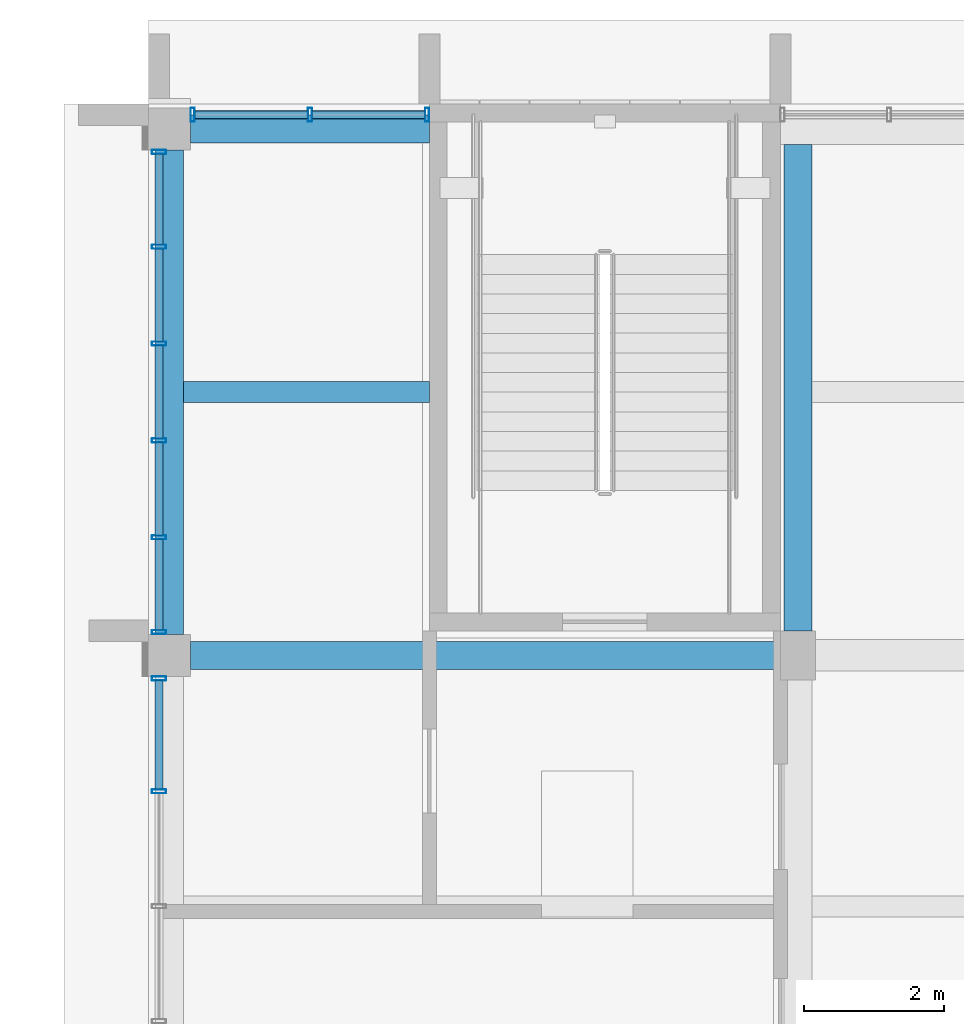
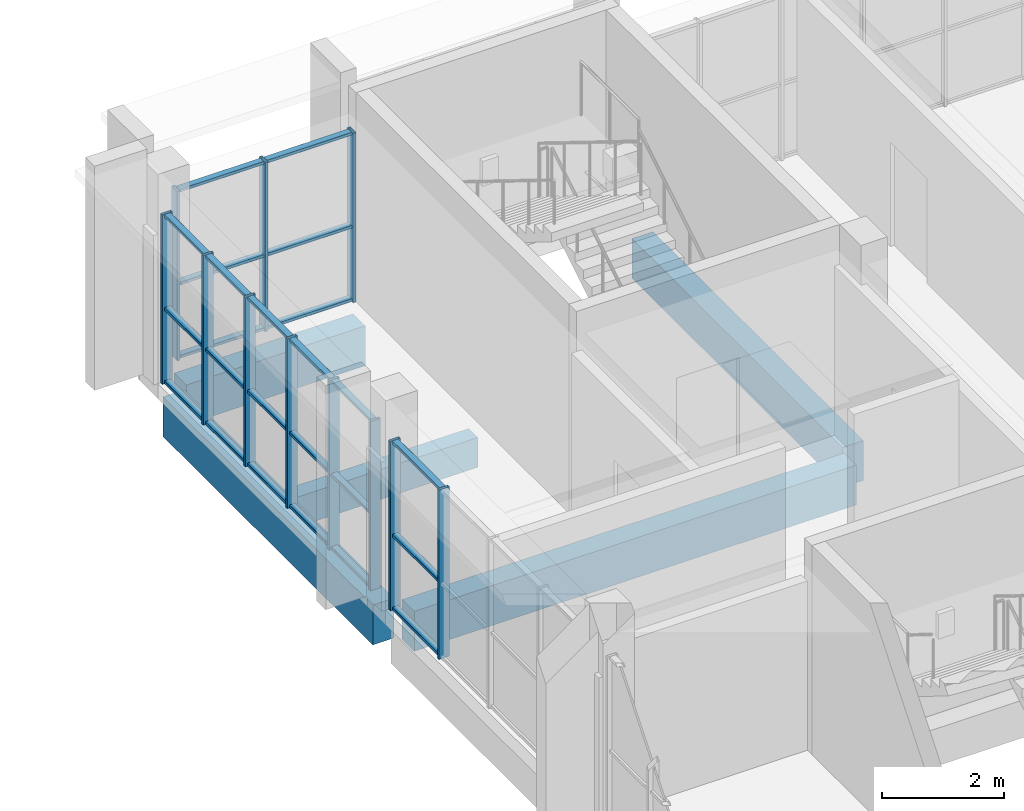
# One storey, part 16 of 42: 35 members, 5 beams, 3 elements without a shape of their own.
"""IFC4 building model written with IfcOpenShell, lengths in metres."""

from ifc_helpers import new_model, si_unit, direction, frame, origin, origin_2d, place, context, subcontext, project, spatial, rectangle, hollow_rectangle, extrude, material, material_profile, profile_set, type_object, element, aggregate, save


model = new_model("IFC4")

# Units and contexts
model_context = context("Model", 3, precision=1e-05, world=origin(), true_north=direction((0.0, 1.0)))
body_context = subcontext(model_context, "Body", "Model", "MODEL_VIEW")
ifc_project = project(units=[si_unit("LENGTHUNIT", "METRE"), si_unit("AREAUNIT", "SQUARE_METRE"), si_unit("VOLUMEUNIT", "CUBIC_METRE"), si_unit("PLANEANGLEUNIT", "RADIAN"), si_unit("MASSUNIT", "GRAM", prefix="KILO")], contexts=[model_context])

# Site, building, storey
site_placement = place(None, origin())
site = spatial("IfcSite", under=ifc_project, at=site_placement, CompositionType="ELEMENT")
building_placement = place(site_placement, origin())
building = spatial("IfcBuilding", under=site, at=building_placement, Name="Sun Court Science Centre", CompositionType="ELEMENT")
storey_placement = place(building_placement, frame((0.0, 0.0, 20.25)))
storey = spatial("IfcBuildingStorey", under=building, at=storey_placement, Name="L04", CompositionType="ELEMENT", Elevation=20.25)

# Curtain wall, members
ifc_material_1 = material(Name="Aluminium EN AW-6063 T6", Category="aluminium")
curtain_wall_type = type_object("IfcCurtainWallType", Name="Laboratory tall bay curtain wall 1500", PredefinedType="NOTDEFINED", material=ifc_material_1)
curtain_wall_1_placement = place(storey_placement, origin())
curtain_wall_1 = element("IfcCurtainWall", 1, at=curtain_wall_1_placement, inside=storey, type_object=curtain_wall_type, Name="Curtain wall V4 W L04 06", PredefinedType="NOTDEFINED")
ifc_material_2 = material(Name="Aluminium EN AW-6063 T6", Category="aluminium")
ifc_material_profile_1 = material_profile(ifc_material_2, hollow_rectangle(XDim=0.06005859375, YDim=0.199951171875, WallThickness=0.0048828125, InnerFilletRadius=0.0048828125, OuterFilletRadius=0.007568359375, at=origin_2d()), Name="AL 60x200x5")
ifc_profile_set_1 = profile_set([ifc_material_profile_1], Name="Aluminium EN AW-6063 T6")
member_type_1 = type_object("IfcMemberType", Name="Curtain wall mullion AL 60x200", PredefinedType="MULLION", material=ifc_profile_set_1)
member_1_placement = place(storey_placement, frame((78.14990234375, 71.21240234375, 0.0), z_axis=(0.0, 0.0, 1.0), x_axis=(0.0, 1.0, 0.0)))
member_1 = element("IfcMember", 2, at=member_1_placement, type_object=member_type_1, Name="CW2-42 mullion 4", PredefinedType="MULLION", context=body_context, shape_type="SweptSolid", body=[
    extrude(hollow_rectangle(XDim=0.06005859375, YDim=0.199951171875, WallThickness=0.0048828125, InnerFilletRadius=0.0048828125, OuterFilletRadius=0.007568359375, at=origin_2d()), origin(), (0.0, 0.0, 1.0), 3.39990234375),
])
member_2_placement = place(storey_placement, frame((78.14990234375, 72.820068359375, 0.0), z_axis=(0.0, 0.0, 1.0), x_axis=(0.0, 1.0, 0.0)))
member_2 = element("IfcMember", 3, at=member_2_placement, type_object=member_type_1, Name="CW2-42 mullion 5", PredefinedType="MULLION", context=body_context, shape_type="SweptSolid", body=[
    extrude(hollow_rectangle(XDim=0.06005859375, YDim=0.199951171875, WallThickness=0.0048828125, InnerFilletRadius=0.0048828125, OuterFilletRadius=0.007568359375, at=origin_2d()), origin(), (0.0, 0.0, 1.0), 3.39990234375),
])

curtain_wall_2_placement = place(storey_placement, origin())
curtain_wall_2 = element("IfcCurtainWall", 4, at=curtain_wall_2_placement, inside=storey, type_object=curtain_wall_type, Name="Curtain wall V4 W L04 07", PredefinedType="NOTDEFINED")
member_3_placement = place(storey_placement, frame((78.14990234375, 73.47998046875, 0.0), z_axis=(0.0, 0.0, 1.0), x_axis=(0.0, 1.0, 0.0)))
member_3 = element("IfcMember", 5, at=member_3_placement, type_object=member_type_1, Name="CW2-43 mullion 1", PredefinedType="MULLION", context=body_context, shape_type="SweptSolid", body=[
    extrude(hollow_rectangle(XDim=0.06005859375, YDim=0.199951171875, WallThickness=0.0048828125, InnerFilletRadius=0.0048828125, OuterFilletRadius=0.007568359375, at=origin_2d()), origin(), (0.0, 0.0, 1.0), 3.39990234375),
])
member_4_placement = place(storey_placement, frame((78.14990234375, 74.830078125, 0.0), z_axis=(0.0, 0.0, 1.0), x_axis=(0.0, 1.0, 0.0)))
member_4 = element("IfcMember", 6, at=member_4_placement, type_object=member_type_1, Name="CW2-43 mullion 2", PredefinedType="MULLION", context=body_context, shape_type="SweptSolid", body=[
    extrude(hollow_rectangle(XDim=0.06005859375, YDim=0.199951171875, WallThickness=0.0048828125, InnerFilletRadius=0.0048828125, OuterFilletRadius=0.007568359375, at=origin_2d()), origin(), (0.0, 0.0, 1.0), 3.39990234375),
])
member_5_placement = place(storey_placement, frame((78.14990234375, 76.2099609375, 0.0), z_axis=(0.0, 0.0, 1.0), x_axis=(0.0, 1.0, 0.0)))
member_5 = element("IfcMember", 7, at=member_5_placement, type_object=member_type_1, Name="CW2-43 mullion 3", PredefinedType="MULLION", context=body_context, shape_type="SweptSolid", body=[
    extrude(hollow_rectangle(XDim=0.06005859375, YDim=0.199951171875, WallThickness=0.0048828125, InnerFilletRadius=0.0048828125, OuterFilletRadius=0.007568359375, at=origin_2d()), origin(), (0.0, 0.0, 1.0), 3.39990234375),
])
member_6_placement = place(storey_placement, frame((78.14990234375, 77.590087890625, 0.0), z_axis=(0.0, 0.0, 1.0), x_axis=(0.0, 1.0, 0.0)))
member_6 = element("IfcMember", 8, at=member_6_placement, type_object=member_type_1, Name="CW2-43 mullion 4", PredefinedType="MULLION", context=body_context, shape_type="SweptSolid", body=[
    extrude(hollow_rectangle(XDim=0.06005859375, YDim=0.199951171875, WallThickness=0.0048828125, InnerFilletRadius=0.0048828125, OuterFilletRadius=0.007568359375, at=origin_2d()), origin(), (0.0, 0.0, 1.0), 3.39990234375),
])
member_7_placement = place(storey_placement, frame((78.14990234375, 78.969970703125, 0.0), z_axis=(0.0, 0.0, 1.0), x_axis=(0.0, 1.0, 0.0)))
member_7 = element("IfcMember", 9, at=member_7_placement, type_object=member_type_1, Name="CW2-43 mullion 5", PredefinedType="MULLION", context=body_context, shape_type="SweptSolid", body=[
    extrude(hollow_rectangle(XDim=0.06005859375, YDim=0.199951171875, WallThickness=0.0048828125, InnerFilletRadius=0.0048828125, OuterFilletRadius=0.007568359375, at=origin_2d()), origin(), (0.0, 0.0, 1.0), 3.39990234375),
])
member_8_placement = place(storey_placement, frame((78.14990234375, 80.320068359375, 0.0), z_axis=(0.0, 0.0, 1.0), x_axis=(0.0, 1.0, 0.0)))
member_8 = element("IfcMember", 10, at=member_8_placement, type_object=member_type_1, Name="CW2-43 mullion 6", PredefinedType="MULLION", context=body_context, shape_type="SweptSolid", body=[
    extrude(hollow_rectangle(XDim=0.06005859375, YDim=0.199951171875, WallThickness=0.0048828125, InnerFilletRadius=0.0048828125, OuterFilletRadius=0.007568359375, at=origin_2d()), origin(), (0.0, 0.0, 1.0), 3.39990234375),
])

curtain_wall_3_placement = place(storey_placement, origin())
curtain_wall_3 = element("IfcCurtainWall", 11, at=curtain_wall_3_placement, inside=storey, type_object=curtain_wall_type, Name="Curtain wall V4 N L04 01", PredefinedType="NOTDEFINED")
member_9_placement = place(storey_placement, frame((78.6298828125, 80.85009765625, 0.0), z_axis=(0.0, 0.0, 1.0), x_axis=(1.0, 0.0, 0.0)))
member_9 = element("IfcMember", 12, at=member_9_placement, type_object=member_type_1, Name="CW2-73 mullion 1", PredefinedType="MULLION", context=body_context, shape_type="SweptSolid", body=[
    extrude(hollow_rectangle(XDim=0.06005859375, YDim=0.199951171875, WallThickness=0.0048828125, InnerFilletRadius=0.0048828125, OuterFilletRadius=0.007568359375, at=origin_2d()), origin(), (0.0, 0.0, 1.0), 3.39990234375),
])
member_10_placement = place(storey_placement, frame((80.300048828125, 80.85009765625, 0.0), z_axis=(0.0, 0.0, 1.0), x_axis=(1.0, 0.0, 0.0)))
member_10 = element("IfcMember", 13, at=member_10_placement, type_object=member_type_1, Name="CW2-73 mullion 2", PredefinedType="MULLION", context=body_context, shape_type="SweptSolid", body=[
    extrude(hollow_rectangle(XDim=0.06005859375, YDim=0.199951171875, WallThickness=0.0048828125, InnerFilletRadius=0.0048828125, OuterFilletRadius=0.007568359375, at=origin_2d()), origin(), (0.0, 0.0, 1.0), 3.39990234375),
])
member_11_placement = place(storey_placement, frame((81.969970703125, 80.85009765625, 0.0), z_axis=(0.0, 0.0, 1.0), x_axis=(1.0, 0.0, 0.0)))
member_11 = element("IfcMember", 14, at=member_11_placement, type_object=member_type_1, Name="CW2-73 mullion 3", PredefinedType="MULLION", context=body_context, shape_type="SweptSolid", body=[
    extrude(hollow_rectangle(XDim=0.06005859375, YDim=0.199951171875, WallThickness=0.0048828125, InnerFilletRadius=0.0048828125, OuterFilletRadius=0.007568359375, at=origin_2d()), origin(), (0.0, 0.0, 1.0), 3.39990234375),
])

# Member
ifc_material_3 = material(Name="Aluminium EN AW-6063 T6", Category="aluminium")
ifc_material_profile_2 = material_profile(ifc_material_3, hollow_rectangle(XDim=0.06005859375, YDim=0.1201171875, WallThickness=0.00390625, InnerFilletRadius=0.00390625, OuterFilletRadius=0.006103515625, at=origin_2d()), Name="AL 60x120x4")
ifc_profile_set_2 = profile_set([ifc_material_profile_2], Name="Aluminium EN AW-6063 T6")
member_type_2 = type_object("IfcMemberType", Name="Curtain wall transom AL 60x120", PredefinedType="USERDEFINED", material=ifc_profile_set_2)
member_12_placement = place(storey_placement, frame((78.14990234375, 71.242431640625, 0.030029296875), z_axis=(0.0, 1.0, 0.0), x_axis=(0.0, 0.0, 1.0)))
member_12 = element("IfcMember", 15, at=member_12_placement, type_object=member_type_2, Name="CW2-42 transom 4.1", ObjectType="TRANSOM", PredefinedType="USERDEFINED", context=body_context, shape_type="SweptSolid", body=[
    extrude(hollow_rectangle(XDim=0.06005859375, YDim=0.1201171875, WallThickness=0.00390625, InnerFilletRadius=0.00390625, OuterFilletRadius=0.006103515625, at=origin_2d()), origin(), (0.0, 0.0, 1.0), 1.547607421875),
])

member_13_placement = place(storey_placement, frame((78.14990234375, 71.242431640625, 1.5), z_axis=(0.0, 1.0, 0.0), x_axis=(0.0, 0.0, 1.0)))
member_13 = element("IfcMember", 16, at=member_13_placement, type_object=member_type_2, Name="CW2-42 transom 4.2", ObjectType="TRANSOM", PredefinedType="USERDEFINED", context=body_context, shape_type="SweptSolid", body=[
    extrude(hollow_rectangle(XDim=0.06005859375, YDim=0.1201171875, WallThickness=0.00390625, InnerFilletRadius=0.00390625, OuterFilletRadius=0.006103515625, at=origin_2d()), origin(), (0.0, 0.0, 1.0), 1.547607421875),
])

member_14_placement = place(storey_placement, frame((78.14990234375, 71.242431640625, 3.3701171875), z_axis=(0.0, 1.0, 0.0), x_axis=(0.0, 0.0, 1.0)))
member_14 = element("IfcMember", 17, at=member_14_placement, type_object=member_type_2, Name="CW2-42 transom 4.3", ObjectType="TRANSOM", PredefinedType="USERDEFINED", context=body_context, shape_type="SweptSolid", body=[
    extrude(hollow_rectangle(XDim=0.06005859375, YDim=0.1201171875, WallThickness=0.00390625, InnerFilletRadius=0.00390625, OuterFilletRadius=0.006103515625, at=origin_2d()), origin(), (0.0, 0.0, 1.0), 1.547607421875),
])

aggregate(curtain_wall_1, [member_1, member_2, member_12, member_13, member_14])

member_15_placement = place(storey_placement, frame((78.14990234375, 73.510009765625, 0.030029296875), z_axis=(0.0, 1.0, 0.0), x_axis=(0.0, 0.0, 1.0)))
member_15 = element("IfcMember", 18, at=member_15_placement, type_object=member_type_2, Name="CW2-43 transom 1.1", ObjectType="TRANSOM", PredefinedType="USERDEFINED", context=body_context, shape_type="SweptSolid", body=[
    extrude(hollow_rectangle(XDim=0.06005859375, YDim=0.1201171875, WallThickness=0.00390625, InnerFilletRadius=0.00390625, OuterFilletRadius=0.006103515625, at=origin_2d()), origin(), (0.0, 0.0, 1.0), 1.2900390625),
])

member_16_placement = place(storey_placement, frame((78.14990234375, 74.860107421875, 0.030029296875), z_axis=(0.0, 1.0, 0.0), x_axis=(0.0, 0.0, 1.0)))
member_16 = element("IfcMember", 19, at=member_16_placement, type_object=member_type_2, Name="CW2-43 transom 2.1", ObjectType="TRANSOM", PredefinedType="USERDEFINED", context=body_context, shape_type="SweptSolid", body=[
    extrude(hollow_rectangle(XDim=0.06005859375, YDim=0.1201171875, WallThickness=0.00390625, InnerFilletRadius=0.00390625, OuterFilletRadius=0.006103515625, at=origin_2d()), origin(), (0.0, 0.0, 1.0), 1.31982421875),
])

member_17_placement = place(storey_placement, frame((78.14990234375, 76.239990234375, 0.030029296875), z_axis=(0.0, 1.0, 0.0), x_axis=(0.0, 0.0, 1.0)))
member_17 = element("IfcMember", 20, at=member_17_placement, type_object=member_type_2, Name="CW2-43 transom 3.1", ObjectType="TRANSOM", PredefinedType="USERDEFINED", context=body_context, shape_type="SweptSolid", body=[
    extrude(hollow_rectangle(XDim=0.06005859375, YDim=0.1201171875, WallThickness=0.00390625, InnerFilletRadius=0.00390625, OuterFilletRadius=0.006103515625, at=origin_2d()), origin(), (0.0, 0.0, 1.0), 1.320068359375),
])

member_18_placement = place(storey_placement, frame((78.14990234375, 77.6201171875, 0.030029296875), z_axis=(0.0, 1.0, 0.0), x_axis=(0.0, 0.0, 1.0)))
member_18 = element("IfcMember", 21, at=member_18_placement, type_object=member_type_2, Name="CW2-43 transom 4.1", ObjectType="TRANSOM", PredefinedType="USERDEFINED", context=body_context, shape_type="SweptSolid", body=[
    extrude(hollow_rectangle(XDim=0.06005859375, YDim=0.1201171875, WallThickness=0.00390625, InnerFilletRadius=0.00390625, OuterFilletRadius=0.006103515625, at=origin_2d()), origin(), (0.0, 0.0, 1.0), 1.31982421875),
])

member_19_placement = place(storey_placement, frame((78.14990234375, 79.0, 0.030029296875), z_axis=(0.0, 1.0, 0.0), x_axis=(0.0, 0.0, 1.0)))
member_19 = element("IfcMember", 22, at=member_19_placement, type_object=member_type_2, Name="CW2-43 transom 5.1", ObjectType="TRANSOM", PredefinedType="USERDEFINED", context=body_context, shape_type="SweptSolid", body=[
    extrude(hollow_rectangle(XDim=0.06005859375, YDim=0.1201171875, WallThickness=0.00390625, InnerFilletRadius=0.00390625, OuterFilletRadius=0.006103515625, at=origin_2d()), origin(), (0.0, 0.0, 1.0), 1.2900390625),
])

member_20_placement = place(storey_placement, frame((78.14990234375, 73.510009765625, 1.5), z_axis=(0.0, 1.0, 0.0), x_axis=(0.0, 0.0, 1.0)))
member_20 = element("IfcMember", 23, at=member_20_placement, type_object=member_type_2, Name="CW2-43 transom 1.2", ObjectType="TRANSOM", PredefinedType="USERDEFINED", context=body_context, shape_type="SweptSolid", body=[
    extrude(hollow_rectangle(XDim=0.06005859375, YDim=0.1201171875, WallThickness=0.00390625, InnerFilletRadius=0.00390625, OuterFilletRadius=0.006103515625, at=origin_2d()), origin(), (0.0, 0.0, 1.0), 1.2900390625),
])

member_21_placement = place(storey_placement, frame((78.14990234375, 74.860107421875, 1.5), z_axis=(0.0, 1.0, 0.0), x_axis=(0.0, 0.0, 1.0)))
member_21 = element("IfcMember", 24, at=member_21_placement, type_object=member_type_2, Name="CW2-43 transom 2.2", ObjectType="TRANSOM", PredefinedType="USERDEFINED", context=body_context, shape_type="SweptSolid", body=[
    extrude(hollow_rectangle(XDim=0.06005859375, YDim=0.1201171875, WallThickness=0.00390625, InnerFilletRadius=0.00390625, OuterFilletRadius=0.006103515625, at=origin_2d()), origin(), (0.0, 0.0, 1.0), 1.31982421875),
])

member_22_placement = place(storey_placement, frame((78.14990234375, 76.239990234375, 1.5), z_axis=(0.0, 1.0, 0.0), x_axis=(0.0, 0.0, 1.0)))
member_22 = element("IfcMember", 25, at=member_22_placement, type_object=member_type_2, Name="CW2-43 transom 3.2", ObjectType="TRANSOM", PredefinedType="USERDEFINED", context=body_context, shape_type="SweptSolid", body=[
    extrude(hollow_rectangle(XDim=0.06005859375, YDim=0.1201171875, WallThickness=0.00390625, InnerFilletRadius=0.00390625, OuterFilletRadius=0.006103515625, at=origin_2d()), origin(), (0.0, 0.0, 1.0), 1.320068359375),
])

member_23_placement = place(storey_placement, frame((78.14990234375, 77.6201171875, 1.5), z_axis=(0.0, 1.0, 0.0), x_axis=(0.0, 0.0, 1.0)))
member_23 = element("IfcMember", 26, at=member_23_placement, type_object=member_type_2, Name="CW2-43 transom 4.2", ObjectType="TRANSOM", PredefinedType="USERDEFINED", context=body_context, shape_type="SweptSolid", body=[
    extrude(hollow_rectangle(XDim=0.06005859375, YDim=0.1201171875, WallThickness=0.00390625, InnerFilletRadius=0.00390625, OuterFilletRadius=0.006103515625, at=origin_2d()), origin(), (0.0, 0.0, 1.0), 1.31982421875),
])

member_24_placement = place(storey_placement, frame((78.14990234375, 79.0, 1.5), z_axis=(0.0, 1.0, 0.0), x_axis=(0.0, 0.0, 1.0)))
member_24 = element("IfcMember", 27, at=member_24_placement, type_object=member_type_2, Name="CW2-43 transom 5.2", ObjectType="TRANSOM", PredefinedType="USERDEFINED", context=body_context, shape_type="SweptSolid", body=[
    extrude(hollow_rectangle(XDim=0.06005859375, YDim=0.1201171875, WallThickness=0.00390625, InnerFilletRadius=0.00390625, OuterFilletRadius=0.006103515625, at=origin_2d()), origin(), (0.0, 0.0, 1.0), 1.2900390625),
])

member_25_placement = place(storey_placement, frame((78.14990234375, 73.510009765625, 3.3701171875), z_axis=(0.0, 1.0, 0.0), x_axis=(0.0, 0.0, 1.0)))
member_25 = element("IfcMember", 28, at=member_25_placement, type_object=member_type_2, Name="CW2-43 transom 1.3", ObjectType="TRANSOM", PredefinedType="USERDEFINED", context=body_context, shape_type="SweptSolid", body=[
    extrude(hollow_rectangle(XDim=0.06005859375, YDim=0.1201171875, WallThickness=0.00390625, InnerFilletRadius=0.00390625, OuterFilletRadius=0.006103515625, at=origin_2d()), origin(), (0.0, 0.0, 1.0), 1.2900390625),
])

member_26_placement = place(storey_placement, frame((78.14990234375, 74.860107421875, 3.3701171875), z_axis=(0.0, 1.0, 0.0), x_axis=(0.0, 0.0, 1.0)))
member_26 = element("IfcMember", 29, at=member_26_placement, type_object=member_type_2, Name="CW2-43 transom 2.3", ObjectType="TRANSOM", PredefinedType="USERDEFINED", context=body_context, shape_type="SweptSolid", body=[
    extrude(hollow_rectangle(XDim=0.06005859375, YDim=0.1201171875, WallThickness=0.00390625, InnerFilletRadius=0.00390625, OuterFilletRadius=0.006103515625, at=origin_2d()), origin(), (0.0, 0.0, 1.0), 1.31982421875),
])

member_27_placement = place(storey_placement, frame((78.14990234375, 76.239990234375, 3.3701171875), z_axis=(0.0, 1.0, 0.0), x_axis=(0.0, 0.0, 1.0)))
member_27 = element("IfcMember", 30, at=member_27_placement, type_object=member_type_2, Name="CW2-43 transom 3.3", ObjectType="TRANSOM", PredefinedType="USERDEFINED", context=body_context, shape_type="SweptSolid", body=[
    extrude(hollow_rectangle(XDim=0.06005859375, YDim=0.1201171875, WallThickness=0.00390625, InnerFilletRadius=0.00390625, OuterFilletRadius=0.006103515625, at=origin_2d()), origin(), (0.0, 0.0, 1.0), 1.320068359375),
])

member_28_placement = place(storey_placement, frame((78.14990234375, 77.6201171875, 3.3701171875), z_axis=(0.0, 1.0, 0.0), x_axis=(0.0, 0.0, 1.0)))
member_28 = element("IfcMember", 31, at=member_28_placement, type_object=member_type_2, Name="CW2-43 transom 4.3", ObjectType="TRANSOM", PredefinedType="USERDEFINED", context=body_context, shape_type="SweptSolid", body=[
    extrude(hollow_rectangle(XDim=0.06005859375, YDim=0.1201171875, WallThickness=0.00390625, InnerFilletRadius=0.00390625, OuterFilletRadius=0.006103515625, at=origin_2d()), origin(), (0.0, 0.0, 1.0), 1.31982421875),
])

member_29_placement = place(storey_placement, frame((78.14990234375, 79.0, 3.3701171875), z_axis=(0.0, 1.0, 0.0), x_axis=(0.0, 0.0, 1.0)))
member_29 = element("IfcMember", 32, at=member_29_placement, type_object=member_type_2, Name="CW2-43 transom 5.3", ObjectType="TRANSOM", PredefinedType="USERDEFINED", context=body_context, shape_type="SweptSolid", body=[
    extrude(hollow_rectangle(XDim=0.06005859375, YDim=0.1201171875, WallThickness=0.00390625, InnerFilletRadius=0.00390625, OuterFilletRadius=0.006103515625, at=origin_2d()), origin(), (0.0, 0.0, 1.0), 1.2900390625),
])

aggregate(curtain_wall_2, [member_3, member_4, member_5, member_6, member_7, member_8, member_15, member_16, member_17, member_18, member_19, member_20, member_21, member_22, member_23, member_24, member_25, member_26, member_27, member_28, member_29])

member_30_placement = place(storey_placement, frame((78.659912109375, 80.85009765625, 0.030029296875), z_axis=(1.0, 0.0, 0.0), x_axis=(0.0, 0.0, 1.0)))
member_30 = element("IfcMember", 33, at=member_30_placement, type_object=member_type_2, Name="CW2-73 transom 1.1", ObjectType="TRANSOM", PredefinedType="USERDEFINED", context=body_context, shape_type="SweptSolid", body=[
    extrude(hollow_rectangle(XDim=0.06005859375, YDim=0.1201171875, WallThickness=0.00390625, InnerFilletRadius=0.00390625, OuterFilletRadius=0.006103515625, at=origin_2d()), origin(), (0.0, 0.0, 1.0), 1.610107421875),
])

member_31_placement = place(storey_placement, frame((80.330078125, 80.85009765625, 0.030029296875), z_axis=(1.0, 0.0, 0.0), x_axis=(0.0, 0.0, 1.0)))
member_31 = element("IfcMember", 34, at=member_31_placement, type_object=member_type_2, Name="CW2-73 transom 2.1", ObjectType="TRANSOM", PredefinedType="USERDEFINED", context=body_context, shape_type="SweptSolid", body=[
    extrude(hollow_rectangle(XDim=0.06005859375, YDim=0.1201171875, WallThickness=0.00390625, InnerFilletRadius=0.00390625, OuterFilletRadius=0.006103515625, at=origin_2d()), origin(), (0.0, 0.0, 1.0), 1.60986328125),
])

member_32_placement = place(storey_placement, frame((78.659912109375, 80.85009765625, 1.5), z_axis=(1.0, 0.0, 0.0), x_axis=(0.0, 0.0, 1.0)))
member_32 = element("IfcMember", 35, at=member_32_placement, type_object=member_type_2, Name="CW2-73 transom 1.2", ObjectType="TRANSOM", PredefinedType="USERDEFINED", context=body_context, shape_type="SweptSolid", body=[
    extrude(hollow_rectangle(XDim=0.06005859375, YDim=0.1201171875, WallThickness=0.00390625, InnerFilletRadius=0.00390625, OuterFilletRadius=0.006103515625, at=origin_2d()), origin(), (0.0, 0.0, 1.0), 1.610107421875),
])

member_33_placement = place(storey_placement, frame((80.330078125, 80.85009765625, 1.5), z_axis=(1.0, 0.0, 0.0), x_axis=(0.0, 0.0, 1.0)))
member_33 = element("IfcMember", 36, at=member_33_placement, type_object=member_type_2, Name="CW2-73 transom 2.2", ObjectType="TRANSOM", PredefinedType="USERDEFINED", context=body_context, shape_type="SweptSolid", body=[
    extrude(hollow_rectangle(XDim=0.06005859375, YDim=0.1201171875, WallThickness=0.00390625, InnerFilletRadius=0.00390625, OuterFilletRadius=0.006103515625, at=origin_2d()), origin(), (0.0, 0.0, 1.0), 1.60986328125),
])

member_34_placement = place(storey_placement, frame((78.659912109375, 80.85009765625, 3.3701171875), z_axis=(1.0, 0.0, 0.0), x_axis=(0.0, 0.0, 1.0)))
member_34 = element("IfcMember", 37, at=member_34_placement, type_object=member_type_2, Name="CW2-73 transom 1.3", ObjectType="TRANSOM", PredefinedType="USERDEFINED", context=body_context, shape_type="SweptSolid", body=[
    extrude(hollow_rectangle(XDim=0.06005859375, YDim=0.1201171875, WallThickness=0.00390625, InnerFilletRadius=0.00390625, OuterFilletRadius=0.006103515625, at=origin_2d()), origin(), (0.0, 0.0, 1.0), 1.610107421875),
])

member_35_placement = place(storey_placement, frame((80.330078125, 80.85009765625, 3.3701171875), z_axis=(1.0, 0.0, 0.0), x_axis=(0.0, 0.0, 1.0)))
member_35 = element("IfcMember", 38, at=member_35_placement, type_object=member_type_2, Name="CW2-73 transom 2.3", ObjectType="TRANSOM", PredefinedType="USERDEFINED", context=body_context, shape_type="SweptSolid", body=[
    extrude(hollow_rectangle(XDim=0.06005859375, YDim=0.1201171875, WallThickness=0.00390625, InnerFilletRadius=0.00390625, OuterFilletRadius=0.006103515625, at=origin_2d()), origin(), (0.0, 0.0, 1.0), 1.60986328125),
])

aggregate(curtain_wall_3, [member_9, member_10, member_11, member_30, member_31, member_32, member_33, member_34, member_35])

# Beams
ifc_material_4 = material(Name="Concrete C25/30", Category="concrete")
ifc_material_profile_3 = material_profile(ifc_material_4, rectangle(XDim=0.39990234375, YDim=0.800048828125, at=origin_2d()), Name="RC 400x800")
ifc_profile_set_3 = profile_set([ifc_material_profile_3], Name="Concrete C25/30")
beam_type_1 = type_object("IfcBeamType", Name="RC girder 400x800", PredefinedType="BEAM", material=ifc_profile_set_3)
beam_1_placement = place(storey_placement, frame((78.60009765625, 73.14990234375, -0.699951171875), z_axis=(1.0, 0.0, 0.0), x_axis=(0.0, 1.0, 0.0)))
element("IfcBeam", 39, at=beam_1_placement, inside=storey, type_object=beam_type_1, Name="Girder L04 row 10", PredefinedType="BEAM", context=body_context, shape_type="SweptSolid", body=[
    extrude(rectangle(XDim=0.39990234375, YDim=0.800048828125, at=origin_2d()), origin(), (0.0, 0.0, 1.0), 8.39990234375),
])
beam_2_placement = place(storey_placement, frame((78.60009765625, 80.64990234375, -0.699951171875), z_axis=(1.0, 0.0, 0.0), x_axis=(0.0, 1.0, 0.0)))
element("IfcBeam", 40, at=beam_2_placement, inside=storey, type_object=beam_type_1, Name="Girder L04 row 11", PredefinedType="BEAM", context=body_context, shape_type="SweptSolid", body=[
    extrude(rectangle(XDim=0.39990234375, YDim=0.800048828125, at=origin_2d()), origin(), (0.0, 0.0, 1.0), 3.39990234375),
])
beam_3_placement = place(storey_placement, frame((78.300048828125, 73.449951171875, -0.699951171875), z_axis=(0.0, 1.0, 0.0), x_axis=(-1.0, 0.0, 0.0)))
element("IfcBeam", 41, at=beam_3_placement, inside=storey, type_object=beam_type_1, Name="Girder L04 line 1", PredefinedType="BEAM", context=body_context, shape_type="SweptSolid", body=[
    extrude(rectangle(XDim=0.39990234375, YDim=0.800048828125, at=origin_2d()), origin(), (0.0, 0.0, 1.0), 6.900146484375),
])
beam_4_placement = place(storey_placement, frame((87.25, 73.5, -0.699951171875), z_axis=(0.0, 1.0, 0.0), x_axis=(-1.0, 0.0, 0.0)))
element("IfcBeam", 42, at=beam_4_placement, inside=storey, type_object=beam_type_1, Name="Girder L04 line 2", PredefinedType="BEAM", context=body_context, shape_type="SweptSolid", body=[
    extrude(rectangle(XDim=0.39990234375, YDim=0.800048828125, at=origin_2d()), origin(), (0.0, 0.0, 1.0), 6.925048828125),
])
ifc_material_5 = material(Name="Concrete C25/30", Category="concrete")
ifc_material_profile_4 = material_profile(ifc_material_5, rectangle(XDim=0.300048828125, YDim=0.60009765625, at=origin_2d()), Name="RC 300x600")
ifc_profile_set_4 = profile_set([ifc_material_profile_4], Name="Concrete C25/30")
beam_type_2 = type_object("IfcBeamType", Name="RC joist 300x600", PredefinedType="JOIST", material=ifc_profile_set_4)
beam_5_placement = place(storey_placement, frame((78.5, 76.89990234375, -0.60009765625), z_axis=(1.0, 0.0, 0.0), x_axis=(0.0, 1.0, 0.0)))
element("IfcBeam", 43, at=beam_5_placement, inside=storey, type_object=beam_type_2, Name="Joist L04", PredefinedType="JOIST", context=body_context, shape_type="SweptSolid", body=[
    extrude(rectangle(XDim=0.300048828125, YDim=0.60009765625, at=origin_2d()), origin(), (0.0, 0.0, 1.0), 3.5),
])

save(model, "model.ifc")
